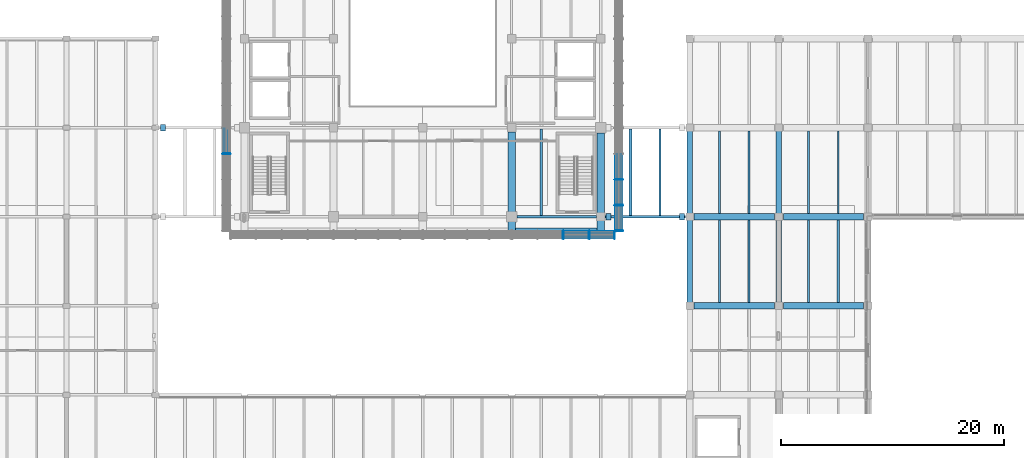
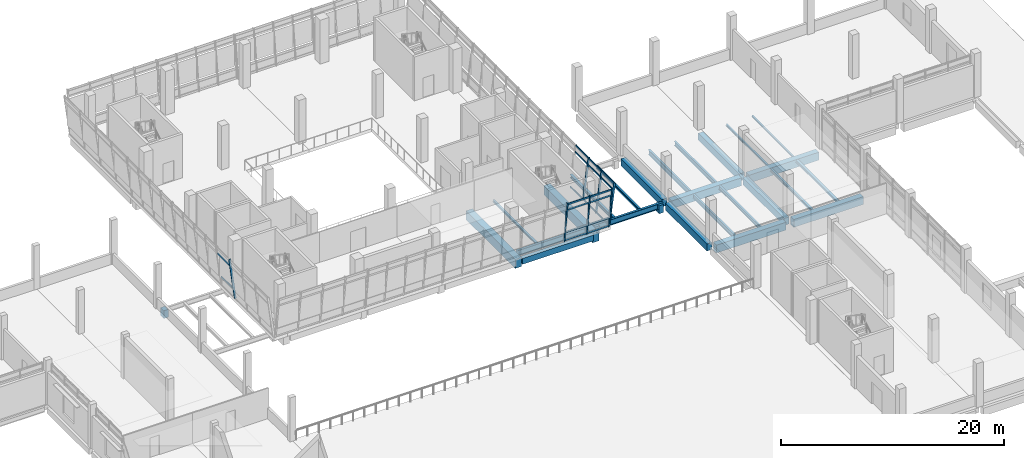
# One storey, part 12 of 52: 29 members, 27 beams, 3 elements without a shape of their own.
"""IFC4 building model written with IfcOpenShell, lengths in metres."""

from ifc_helpers import new_model, si_unit, direction, frame, origin, origin_2d, place, context, subcontext, project, spatial, rectangle, i_section, extrude, material, material_profile, profile_set, type_object, element, aggregate, save


model = new_model("IFC4")

# Units and contexts
model_context = context("Model", 3, precision=1e-05, world=origin(), true_north=direction((0.0, 1.0)))
body_context = subcontext(model_context, "Body", "Model", "MODEL_VIEW")
ifc_project = project(units=[si_unit("LENGTHUNIT", "METRE"), si_unit("AREAUNIT", "SQUARE_METRE"), si_unit("VOLUMEUNIT", "CUBIC_METRE"), si_unit("PLANEANGLEUNIT", "RADIAN"), si_unit("MASSUNIT", "GRAM", prefix="KILO")], contexts=[model_context])

# Site, building, storey
site_placement = place(None, origin())
site = spatial("IfcSite", under=ifc_project, at=site_placement, CompositionType="ELEMENT")
building_placement = place(site_placement, origin())
building = spatial("IfcBuilding", under=site, at=building_placement, Name="Pecanmere Concourse Central Library", CompositionType="ELEMENT")
storey_placement = place(building_placement, frame((0.0, 0.0, 10.5)))
storey = spatial("IfcBuildingStorey", under=building, at=storey_placement, Name="L03", CompositionType="ELEMENT", Elevation=10.5)

# Curtain wall, members
ifc_material_1 = material(Name="Anodized bronze aluminium alloy 6063-T6", Category="aluminium")
curtain_wall_type = type_object("IfcCurtainWallType", Name="CW_LEAN_BANDED", PredefinedType="USERDEFINED", material=ifc_material_1)
curtain_wall_1_placement = place(storey_placement, origin())
curtain_wall_1 = element("IfcCurtainWall", 1, at=curtain_wall_1_placement, inside=storey, type_object=curtain_wall_type, Name="Unitised Curtain Wall CW-01 L03-029", ObjectType="UNITISED CURTAIN WALL", PredefinedType="USERDEFINED")
ifc_material_2 = material(Name="Anodized bronze aluminium alloy 6063-T6", Category="aluminium")
ifc_material_profile_1 = material_profile(ifc_material_2, rectangle(XDim=0.074951171875, YDim=0.199951171875, at=origin_2d()), Name="AL 75x200")
ifc_profile_set_1 = profile_set([ifc_material_profile_1], Name="Anodized bronze aluminium alloy 6063-T6")
member_type_1 = type_object("IfcMemberType", Name="CWM_200x75", PredefinedType="MULLION", material=ifc_profile_set_1)
member_1_placement = place(storey_placement, frame((100.64306640625, 88.678955078125, 0.0), z_axis=(0.0, -0.132234484848, 0.991218462811), x_axis=(1.0, 0.0, 0.0)))
member_1 = element("IfcMember", 2, at=member_1_placement, type_object=member_type_1, Name="CW-01 Mullion 3", PredefinedType="MULLION", context=body_context, shape_type="SweptSolid", body=[
    extrude(rectangle(XDim=0.074951171875, YDim=0.199951171875, at=origin_2d()), origin(), (0.0, 0.0, 1.0), 4.519775390625),
])
member_2_placement = place(storey_placement, frame((102.9619140625, 88.678955078125, 0.0), z_axis=(0.0, -0.132234484848, 0.991218462811), x_axis=(1.0, 0.0, 0.0)))
member_2 = element("IfcMember", 3, at=member_2_placement, type_object=member_type_1, Name="CW-01 Mullion 4", PredefinedType="MULLION", context=body_context, shape_type="SweptSolid", body=[
    extrude(rectangle(XDim=0.074951171875, YDim=0.199951171875, at=origin_2d()), origin(), (0.0, 0.0, 1.0), 4.519775390625),
])
member_3_placement = place(storey_placement, frame((105.243408203125, 88.678955078125, 0.0), z_axis=(0.0, -0.132234484848, 0.991218462811), x_axis=(1.0, 0.0, 0.0)))
member_3 = element("IfcMember", 4, at=member_3_placement, type_object=member_type_1, Name="CW-01 Mullion 5", PredefinedType="MULLION", context=body_context, shape_type="SweptSolid", body=[
    extrude(rectangle(XDim=0.074951171875, YDim=0.199951171875, at=origin_2d()), origin(), (0.0, 0.0, 1.0), 4.519775390625),
])

curtain_wall_2_placement = place(storey_placement, origin())
curtain_wall_2 = element("IfcCurtainWall", 5, at=curtain_wall_2_placement, inside=storey, type_object=curtain_wall_type, Name="Unitised Curtain Wall CW-01 L03-030", ObjectType="UNITISED CURTAIN WALL", PredefinedType="USERDEFINED")
member_4_placement = place(storey_placement, frame((105.321044921875, 88.756591796875, 0.0), z_axis=(0.132234484848, 0.0, 0.991218462811), x_axis=(0.0, 1.0, 0.0)))
member_4 = element("IfcMember", 6, at=member_4_placement, type_object=member_type_1, Name="CW-01 Mullion 1", PredefinedType="MULLION", context=body_context, shape_type="SweptSolid", body=[
    extrude(rectangle(XDim=0.074951171875, YDim=0.199951171875, at=origin_2d()), origin(), (0.0, 0.0, 1.0), 4.519775390625),
])
member_5_placement = place(storey_placement, frame((105.321044921875, 91.0380859375, 0.0), z_axis=(0.132234484848, 0.0, 0.991218462811), x_axis=(0.0, 1.0, 0.0)))
member_5 = element("IfcMember", 7, at=member_5_placement, type_object=member_type_1, Name="CW-01 Mullion 2", PredefinedType="MULLION", context=body_context, shape_type="SweptSolid", body=[
    extrude(rectangle(XDim=0.074951171875, YDim=0.199951171875, at=origin_2d()), origin(), (0.0, 0.0, 1.0), 4.519775390625),
])
member_6_placement = place(storey_placement, frame((105.321044921875, 93.35693359375, 0.0), z_axis=(0.132234484848, 0.0, 0.991218462811), x_axis=(0.0, 1.0, 0.0)))
member_6 = element("IfcMember", 8, at=member_6_placement, type_object=member_type_1, Name="CW-01 Mullion 3", PredefinedType="MULLION", context=body_context, shape_type="SweptSolid", body=[
    extrude(rectangle(XDim=0.074951171875, YDim=0.199951171875, at=origin_2d()), origin(), (0.0, 0.0, 1.0), 4.519775390625),
])

# Curtain wall, member
curtain_wall_3_placement = place(storey_placement, origin())
curtain_wall_3 = element("IfcCurtainWall", 9, at=curtain_wall_3_placement, inside=storey, type_object=curtain_wall_type, Name="Unitised Curtain Wall CW-01 L03-037", ObjectType="UNITISED CURTAIN WALL", PredefinedType="USERDEFINED")
member_7_placement = place(storey_placement, frame((70.678955078125, 95.676025390625, 0.0), z_axis=(-0.132234484848, 0.0, 0.991218462811), x_axis=(0.0, -1.0, 0.0)))
member_7 = element("IfcMember", 10, at=member_7_placement, type_object=member_type_1, Name="CW-01 Mullion 2", PredefinedType="MULLION", context=body_context, shape_type="SweptSolid", body=[
    extrude(rectangle(XDim=0.074951171875, YDim=0.199951171875, at=origin_2d()), origin(), (0.0, 0.0, 1.0), 4.519775390625),
])

# Member
ifc_material_3 = material(Name="Anodized bronze aluminium alloy 6063-T6", Category="aluminium")
ifc_material_profile_2 = material_profile(ifc_material_3, rectangle(XDim=0.06494140625, YDim=0.179931640625, at=origin_2d()), Name="AL 65x180")
ifc_profile_set_2 = profile_set([ifc_material_profile_2], Name="Anodized bronze aluminium alloy 6063-T6")
member_type_2 = type_object("IfcMemberType", Name="CWT_180x65", PredefinedType="USERDEFINED", material=ifc_profile_set_2)
member_8_placement = place(storey_placement, frame((100.680419921875, 88.6669921875, 0.090087890625), z_axis=(1.0, 0.0, 0.0), x_axis=(0.0, 1.0, 0.0)))
member_8 = element("IfcMember", 11, at=member_8_placement, type_object=member_type_2, Name="CW-01 Transom 3.1", ObjectType="TRANSOM", PredefinedType="USERDEFINED", context=body_context, shape_type="SweptSolid", body=[
    extrude(rectangle(XDim=0.06494140625, YDim=0.179931640625, at=origin_2d()), origin(), (0.0, 0.0, 1.0), 2.244140625),
])

member_9_placement = place(storey_placement, frame((100.680419921875, 88.538818359375, 1.050048828125), z_axis=(1.0, 0.0, 0.0), x_axis=(0.0, 1.0, 0.0)))
member_9 = element("IfcMember", 12, at=member_9_placement, type_object=member_type_2, Name="CW-01 Transom 3.2", ObjectType="TRANSOM", PredefinedType="USERDEFINED", context=body_context, shape_type="SweptSolid", body=[
    extrude(rectangle(XDim=0.06494140625, YDim=0.179931640625, at=origin_2d()), origin(), (0.0, 0.0, 1.0), 2.244140625),
])

member_10_placement = place(storey_placement, frame((100.680419921875, 88.181396484375, 3.72998046875), z_axis=(1.0, 0.0, 0.0), x_axis=(0.0, 1.0, 0.0)))
member_10 = element("IfcMember", 13, at=member_10_placement, type_object=member_type_2, Name="CW-01 Transom 3.3", ObjectType="TRANSOM", PredefinedType="USERDEFINED", context=body_context, shape_type="SweptSolid", body=[
    extrude(rectangle(XDim=0.06494140625, YDim=0.179931640625, at=origin_2d()), origin(), (0.0, 0.0, 1.0), 2.244140625),
])

member_11_placement = place(storey_placement, frame((100.680419921875, 88.09326171875, 4.389892578125), z_axis=(1.0, 0.0, 0.0), x_axis=(0.0, 1.0, 0.0)))
member_11 = element("IfcMember", 14, at=member_11_placement, type_object=member_type_2, Name="CW-01 Transom 3.4", ObjectType="TRANSOM", PredefinedType="USERDEFINED", context=body_context, shape_type="SweptSolid", body=[
    extrude(rectangle(XDim=0.06494140625, YDim=0.179931640625, at=origin_2d()), origin(), (0.0, 0.0, 1.0), 2.244140625),
])

member_12_placement = place(storey_placement, frame((102.99951171875, 88.6669921875, 0.090087890625), z_axis=(1.0, 0.0, 0.0), x_axis=(0.0, 1.0, 0.0)))
member_12 = element("IfcMember", 15, at=member_12_placement, type_object=member_type_2, Name="CW-01 Transom 4.1", ObjectType="TRANSOM", PredefinedType="USERDEFINED", context=body_context, shape_type="SweptSolid", body=[
    extrude(rectangle(XDim=0.06494140625, YDim=0.179931640625, at=origin_2d()), origin(), (0.0, 0.0, 1.0), 2.20654296875),
])

member_13_placement = place(storey_placement, frame((102.99951171875, 88.538818359375, 1.050048828125), z_axis=(1.0, 0.0, 0.0), x_axis=(0.0, 1.0, 0.0)))
member_13 = element("IfcMember", 16, at=member_13_placement, type_object=member_type_2, Name="CW-01 Transom 4.2", ObjectType="TRANSOM", PredefinedType="USERDEFINED", context=body_context, shape_type="SweptSolid", body=[
    extrude(rectangle(XDim=0.06494140625, YDim=0.179931640625, at=origin_2d()), origin(), (0.0, 0.0, 1.0), 2.20654296875),
])

member_14_placement = place(storey_placement, frame((102.99951171875, 88.181396484375, 3.72998046875), z_axis=(1.0, 0.0, 0.0), x_axis=(0.0, 1.0, 0.0)))
member_14 = element("IfcMember", 17, at=member_14_placement, type_object=member_type_2, Name="CW-01 Transom 4.3", ObjectType="TRANSOM", PredefinedType="USERDEFINED", context=body_context, shape_type="SweptSolid", body=[
    extrude(rectangle(XDim=0.06494140625, YDim=0.179931640625, at=origin_2d()), origin(), (0.0, 0.0, 1.0), 2.20654296875),
])

member_15_placement = place(storey_placement, frame((102.99951171875, 88.09326171875, 4.389892578125), z_axis=(1.0, 0.0, 0.0), x_axis=(0.0, 1.0, 0.0)))
member_15 = element("IfcMember", 18, at=member_15_placement, type_object=member_type_2, Name="CW-01 Transom 4.4", ObjectType="TRANSOM", PredefinedType="USERDEFINED", context=body_context, shape_type="SweptSolid", body=[
    extrude(rectangle(XDim=0.06494140625, YDim=0.179931640625, at=origin_2d()), origin(), (0.0, 0.0, 1.0), 2.20654296875),
])

aggregate(curtain_wall_1, [member_1, member_2, member_3, member_8, member_9, member_10, member_11, member_12, member_13, member_14, member_15])

member_16_placement = place(storey_placement, frame((105.3330078125, 88.7939453125, 0.090087890625), z_axis=(0.0, 1.0, 0.0), x_axis=(-1.0, 0.0, 0.0)))
member_16 = element("IfcMember", 19, at=member_16_placement, type_object=member_type_2, Name="CW-01 Transom 1.1", ObjectType="TRANSOM", PredefinedType="USERDEFINED", context=body_context, shape_type="SweptSolid", body=[
    extrude(rectangle(XDim=0.06494140625, YDim=0.179931640625, at=origin_2d()), origin(), (0.0, 0.0, 1.0), 2.20654296875),
])

member_17_placement = place(storey_placement, frame((105.461181640625, 88.7939453125, 1.050048828125), z_axis=(0.0, 1.0, 0.0), x_axis=(-1.0, 0.0, 0.0)))
member_17 = element("IfcMember", 20, at=member_17_placement, type_object=member_type_2, Name="CW-01 Transom 1.2", ObjectType="TRANSOM", PredefinedType="USERDEFINED", context=body_context, shape_type="SweptSolid", body=[
    extrude(rectangle(XDim=0.06494140625, YDim=0.179931640625, at=origin_2d()), origin(), (0.0, 0.0, 1.0), 2.20654296875),
])

member_18_placement = place(storey_placement, frame((105.818603515625, 88.7939453125, 3.72998046875), z_axis=(0.0, 1.0, 0.0), x_axis=(-1.0, 0.0, 0.0)))
member_18 = element("IfcMember", 21, at=member_18_placement, type_object=member_type_2, Name="CW-01 Transom 1.3", ObjectType="TRANSOM", PredefinedType="USERDEFINED", context=body_context, shape_type="SweptSolid", body=[
    extrude(rectangle(XDim=0.06494140625, YDim=0.179931640625, at=origin_2d()), origin(), (0.0, 0.0, 1.0), 2.20654296875),
])

member_19_placement = place(storey_placement, frame((105.90673828125, 88.7939453125, 4.389892578125), z_axis=(0.0, 1.0, 0.0), x_axis=(-1.0, 0.0, 0.0)))
member_19 = element("IfcMember", 22, at=member_19_placement, type_object=member_type_2, Name="CW-01 Transom 1.4", ObjectType="TRANSOM", PredefinedType="USERDEFINED", context=body_context, shape_type="SweptSolid", body=[
    extrude(rectangle(XDim=0.06494140625, YDim=0.179931640625, at=origin_2d()), origin(), (0.0, 0.0, 1.0), 2.20654296875),
])

member_20_placement = place(storey_placement, frame((105.3330078125, 91.075439453125, 0.090087890625), z_axis=(0.0, 1.0, 0.0), x_axis=(-1.0, 0.0, 0.0)))
member_20 = element("IfcMember", 23, at=member_20_placement, type_object=member_type_2, Name="CW-01 Transom 2.1", ObjectType="TRANSOM", PredefinedType="USERDEFINED", context=body_context, shape_type="SweptSolid", body=[
    extrude(rectangle(XDim=0.06494140625, YDim=0.179931640625, at=origin_2d()), origin(), (0.0, 0.0, 1.0), 2.244140625),
])

member_21_placement = place(storey_placement, frame((105.461181640625, 91.075439453125, 1.050048828125), z_axis=(0.0, 1.0, 0.0), x_axis=(-1.0, 0.0, 0.0)))
member_21 = element("IfcMember", 24, at=member_21_placement, type_object=member_type_2, Name="CW-01 Transom 2.2", ObjectType="TRANSOM", PredefinedType="USERDEFINED", context=body_context, shape_type="SweptSolid", body=[
    extrude(rectangle(XDim=0.06494140625, YDim=0.179931640625, at=origin_2d()), origin(), (0.0, 0.0, 1.0), 2.244140625),
])

member_22_placement = place(storey_placement, frame((105.818603515625, 91.075439453125, 3.72998046875), z_axis=(0.0, 1.0, 0.0), x_axis=(-1.0, 0.0, 0.0)))
member_22 = element("IfcMember", 25, at=member_22_placement, type_object=member_type_2, Name="CW-01 Transom 2.3", ObjectType="TRANSOM", PredefinedType="USERDEFINED", context=body_context, shape_type="SweptSolid", body=[
    extrude(rectangle(XDim=0.06494140625, YDim=0.179931640625, at=origin_2d()), origin(), (0.0, 0.0, 1.0), 2.244140625),
])

member_23_placement = place(storey_placement, frame((105.90673828125, 91.075439453125, 4.389892578125), z_axis=(0.0, 1.0, 0.0), x_axis=(-1.0, 0.0, 0.0)))
member_23 = element("IfcMember", 26, at=member_23_placement, type_object=member_type_2, Name="CW-01 Transom 2.4", ObjectType="TRANSOM", PredefinedType="USERDEFINED", context=body_context, shape_type="SweptSolid", body=[
    extrude(rectangle(XDim=0.06494140625, YDim=0.179931640625, at=origin_2d()), origin(), (0.0, 0.0, 1.0), 2.244140625),
])

member_24_placement = place(storey_placement, frame((105.3330078125, 93.39453125, 0.090087890625), z_axis=(0.0, 1.0, 0.0), x_axis=(-1.0, 0.0, 0.0)))
member_24 = element("IfcMember", 27, at=member_24_placement, type_object=member_type_2, Name="CW-01 Transom 3.1", ObjectType="TRANSOM", PredefinedType="USERDEFINED", context=body_context, shape_type="SweptSolid", body=[
    extrude(rectangle(XDim=0.06494140625, YDim=0.179931640625, at=origin_2d()), origin(), (0.0, 0.0, 1.0), 2.243896484375),
])

member_25_placement = place(storey_placement, frame((105.461181640625, 93.39453125, 1.050048828125), z_axis=(0.0, 1.0, 0.0), x_axis=(-1.0, 0.0, 0.0)))
member_25 = element("IfcMember", 28, at=member_25_placement, type_object=member_type_2, Name="CW-01 Transom 3.2", ObjectType="TRANSOM", PredefinedType="USERDEFINED", context=body_context, shape_type="SweptSolid", body=[
    extrude(rectangle(XDim=0.06494140625, YDim=0.179931640625, at=origin_2d()), origin(), (0.0, 0.0, 1.0), 2.243896484375),
])

member_26_placement = place(storey_placement, frame((105.818603515625, 93.39453125, 3.72998046875), z_axis=(0.0, 1.0, 0.0), x_axis=(-1.0, 0.0, 0.0)))
member_26 = element("IfcMember", 29, at=member_26_placement, type_object=member_type_2, Name="CW-01 Transom 3.3", ObjectType="TRANSOM", PredefinedType="USERDEFINED", context=body_context, shape_type="SweptSolid", body=[
    extrude(rectangle(XDim=0.06494140625, YDim=0.179931640625, at=origin_2d()), origin(), (0.0, 0.0, 1.0), 2.243896484375),
])

member_27_placement = place(storey_placement, frame((105.90673828125, 93.39453125, 4.389892578125), z_axis=(0.0, 1.0, 0.0), x_axis=(-1.0, 0.0, 0.0)))
member_27 = element("IfcMember", 30, at=member_27_placement, type_object=member_type_2, Name="CW-01 Transom 3.4", ObjectType="TRANSOM", PredefinedType="USERDEFINED", context=body_context, shape_type="SweptSolid", body=[
    extrude(rectangle(XDim=0.06494140625, YDim=0.179931640625, at=origin_2d()), origin(), (0.0, 0.0, 1.0), 2.243896484375),
])

aggregate(curtain_wall_2, [member_4, member_5, member_6, member_16, member_17, member_18, member_19, member_20, member_21, member_22, member_23, member_24, member_25, member_26, member_27])

member_28_placement = place(storey_placement, frame((70.538818359375, 97.919921875, 1.050048828125), z_axis=(0.0, -1.0, 0.0), x_axis=(1.0, 0.0, 0.0)))
member_28 = element("IfcMember", 31, at=member_28_placement, type_object=member_type_2, Name="CW-01 Transom 1.2", ObjectType="TRANSOM", PredefinedType="USERDEFINED", context=body_context, shape_type="SweptSolid", body=[
    extrude(rectangle(XDim=0.06494140625, YDim=0.179931640625, at=origin_2d()), origin(), (0.0, 0.0, 1.0), 2.20654296875),
])

member_29_placement = place(storey_placement, frame((70.181396484375, 97.919921875, 3.72998046875), z_axis=(0.0, -1.0, 0.0), x_axis=(1.0, 0.0, 0.0)))
member_29 = element("IfcMember", 32, at=member_29_placement, type_object=member_type_2, Name="CW-01 Transom 1.3", ObjectType="TRANSOM", PredefinedType="USERDEFINED", context=body_context, shape_type="SweptSolid", body=[
    extrude(rectangle(XDim=0.06494140625, YDim=0.179931640625, at=origin_2d()), origin(), (0.0, 0.0, 1.0), 2.20654296875),
])

aggregate(curtain_wall_3, [member_7, member_28, member_29])

# Beams
ifc_material_4 = material(Name="Concrete C40/50", Category="concrete")
ifc_material_profile_3 = material_profile(ifc_material_4, rectangle(XDim=0.52001953125, YDim=0.77001953125, at=origin_2d()), Name="RC 520x770")
ifc_profile_set_3 = profile_set([ifc_material_profile_3], Name="Concrete C40/50")
beam_type_1 = type_object("IfcBeamType", Name="GRD_520x770", PredefinedType="USERDEFINED", material=ifc_profile_set_3)
for number, where, z_axis, x_axis, name in (
    (33, (112.0, 82.300048828125, -0.72509765625), (0.0, 1.0, 0.0), (-1.0, 0.0, 0.0), "Primary Girder Y L03-1772"),
    (34, (112.0, 90.300048828125, -0.72509765625), (0.0, 1.0, 0.0), (-1.0, 0.0, 0.0), "Primary Girder Y L03-1773"),
    (35, (120.0, 82.300048828125, -0.72509765625), (0.0, 1.0, 0.0), (-1.0, 0.0, 0.0), "Primary Girder Y L03-1779"),
    (36, (120.0, 90.300048828125, -0.72509765625), (0.0, 1.0, 0.0), (-1.0, 0.0, 0.0), "Primary Girder Y L03-1780"),
):
    element("IfcBeam", number, at=place(storey_placement, frame(where, z_axis=z_axis, x_axis=x_axis)), inside=storey, type_object=beam_type_1, Name=name, ObjectType="GIRDER", PredefinedType="USERDEFINED", context=body_context, shape_type="SweptSolid", body=[
        extrude(rectangle(XDim=0.52001953125, YDim=0.77001953125, at=origin_2d()), origin(), (0.0, 0.0, 1.0), 7.39990234375),
    ])
ifc_material_5 = material(Name="Concrete C40/50", Category="concrete")
ifc_material_profile_4 = material_profile(ifc_material_5, rectangle(XDim=0.580078125, YDim=0.860107421875, at=origin_2d()), Name="RC 580x860")
ifc_profile_set_4 = profile_set([ifc_material_profile_4], Name="Concrete C40/50")
beam_type_2 = type_object("IfcBeamType", Name="GRD_580x860", PredefinedType="USERDEFINED", material=ifc_profile_set_4)
for number, where, z_axis, x_axis, name in (
    (37, (112.39990234375, 82.0, -0.77001953125), (1.0, 0.0, 0.0), (0.0, 1.0, 0.0), "Primary Girder X L03-1603"),
    (38, (120.39990234375, 82.0, -0.77001953125), (1.0, 0.0, 0.0), (0.0, 1.0, 0.0), "Primary Girder X L03-1604"),
    (39, (112.39990234375, 90.0, -0.77001953125), (1.0, 0.0, 0.0), (0.0, 1.0, 0.0), "Primary Girder X L03-1617"),
    (40, (120.39990234375, 90.0, -0.77001953125), (1.0, 0.0, 0.0), (0.0, 1.0, 0.0), "Primary Girder X L03-1618"),
):
    element("IfcBeam", number, at=place(storey_placement, frame(where, z_axis=z_axis, x_axis=x_axis)), inside=storey, type_object=beam_type_2, Name=name, ObjectType="GIRDER", PredefinedType="USERDEFINED", context=body_context, shape_type="SweptSolid", body=[
        extrude(rectangle(XDim=0.580078125, YDim=0.860107421875, at=origin_2d()), origin(), (0.0, 0.0, 1.0), 7.2001953125),
    ])
for number, where, z_axis, x_axis, name in (
    (41, (64.4599609375, 98.0, -0.860107421875), (1.0, 0.0, 0.0), (0.0, 1.0, 0.0), "Bridge Bearing Corbel Seat 02"),
    (42, (104.4599609375, 90.0, -0.860107421875), (1.0, 0.0, 0.0), (0.0, 1.0, 0.0), "Bridge Bearing Corbel Seat 05"),
    (43, (111.5400390625, 90.0, -0.860107421875), (-1.0, 0.0, 0.0), (0.0, -1.0, 0.0), "Bridge Bearing Corbel Seat 07"),
):
    element("IfcBeam", number, at=place(storey_placement, frame(where, z_axis=z_axis, x_axis=x_axis)), inside=storey, type_object=beam_type_2, Name=name, ObjectType="GIRDER", PredefinedType="USERDEFINED", context=body_context, shape_type="SweptSolid", body=[
        extrude(rectangle(XDim=0.580078125, YDim=0.860107421875, at=origin_2d()), origin(), (0.0, 0.0, 1.0), 0.4599609375),
    ])
ifc_material_6 = material(Name="Concrete C40/50", Category="concrete")
ifc_material_profile_5 = material_profile(ifc_material_6, rectangle(XDim=0.659912109375, YDim=0.97998046875, at=origin_2d()), Name="RC 660x980")
ifc_profile_set_5 = profile_set([ifc_material_profile_5], Name="Concrete C40/50")
beam_type_3 = type_object("IfcBeamType", Name="GRD_660x980", PredefinedType="USERDEFINED", material=ifc_profile_set_5)
beam_1_placement = place(storey_placement, frame((96.0, 88.7890625, -0.830078125), z_axis=(0.0, 1.0, 0.0), x_axis=(-1.0, 0.0, 0.0)))
element("IfcBeam", 44, at=beam_1_placement, inside=storey, type_object=beam_type_3, Name="Primary Girder Y L03-1753", ObjectType="GIRDER", PredefinedType="USERDEFINED", context=body_context, shape_type="SweptSolid", body=[
    extrude(rectangle(XDim=0.659912109375, YDim=0.97998046875, at=origin_2d()), origin(), (0.0, 0.0, 1.0), 8.81103515625),
])
beam_2_placement = place(storey_placement, frame((104.0, 88.7890625, -0.830078125), z_axis=(0.0, 1.0, 0.0), x_axis=(-1.0, 0.0, 0.0)))
element("IfcBeam", 45, at=beam_2_placement, inside=storey, type_object=beam_type_3, Name="Primary Girder Y L03-1762", ObjectType="GIRDER", PredefinedType="USERDEFINED", context=body_context, shape_type="SweptSolid", body=[
    extrude(rectangle(XDim=0.659912109375, YDim=0.97998046875, at=origin_2d()), origin(), (0.0, 0.0, 1.0), 8.7509765625),
])
ifc_material_7 = material(Name="Structural steel ASTM A992 Grade 50", Category="steel")
ifc_material_profile_6 = material_profile(ifc_material_7, i_section(OverallWidth=0.152099609375, OverallDepth=0.152099609375, WebThickness=0.005859375, FlangeThickness=0.006591796875, at=origin_2d()), Name="W150x22.5")
ifc_profile_set_6 = profile_set([ifc_material_profile_6], Name="Structural steel ASTM A992 Grade 50")
beam_type_4 = type_object("IfcBeamType", Name="SBM_W150x22", PredefinedType="LINTEL", material=ifc_profile_set_6)
beam_3_placement = place(storey_placement, frame((125.333251953125, 90.2900390625, -0.416015625), z_axis=(0.0, 1.0, 0.0), x_axis=(-1.0, 0.0, 0.0)))
element("IfcBeam", 46, at=beam_3_placement, inside=storey, type_object=beam_type_4, Name="Secondary Floor Joist L03-2027", PredefinedType="LINTEL", context=body_context, shape_type="SweptSolid", body=[
    extrude(i_section(OverallWidth=0.152099609375, OverallDepth=0.152099609375, WebThickness=0.005859375, FlangeThickness=0.006591796875, at=origin_2d()), origin(), (0.0, 0.0, 1.0), 7.419921875),
])
ifc_material_8 = material(Name="Structural steel ASTM A992 Grade 50", Category="steel")
ifc_material_profile_7 = material_profile(ifc_material_8, i_section(OverallWidth=0.1650390625, OverallDepth=0.200927734375, WebThickness=0.006103515625, FlangeThickness=0.01025390625, at=origin_2d()), Name="W200x35.9")
ifc_profile_set_7 = profile_set([ifc_material_profile_7], Name="Structural steel ASTM A992 Grade 50")
beam_type_5 = type_object("IfcBeamType", Name="SBM_W200x36", PredefinedType="LINTEL", material=ifc_profile_set_7)
beam_4_placement = place(storey_placement, frame((122.666748046875, 90.2900390625, -0.4404296875), z_axis=(0.0, 1.0, 0.0), x_axis=(-1.0, 0.0, 0.0)))
element("IfcBeam", 47, at=beam_4_placement, inside=storey, type_object=beam_type_5, Name="Secondary Floor Joist L03-2026", PredefinedType="LINTEL", context=body_context, shape_type="SweptSolid", body=[
    extrude(i_section(OverallWidth=0.1650390625, OverallDepth=0.200927734375, WebThickness=0.006103515625, FlangeThickness=0.01025390625, at=origin_2d()), origin(), (0.0, 0.0, 1.0), 7.419921875),
])
ifc_material_9 = material(Name="Structural steel ASTM A992 Grade 50", Category="steel")
ifc_material_profile_8 = material_profile(ifc_material_9, i_section(OverallWidth=0.2041015625, OverallDepth=0.2060546875, WebThickness=0.0078125, FlangeThickness=0.0126953125, at=origin_2d()), Name="W200x52")
ifc_profile_set_8 = profile_set([ifc_material_profile_8], Name="Structural steel ASTM A992 Grade 50")
beam_type_6 = type_object("IfcBeamType", Name="SBM_W200x52", PredefinedType="JOIST", material=ifc_profile_set_8)
beam_5_placement = place(storey_placement, frame((98.666748046875, 90.114990234375, -0.443115234375), z_axis=(0.0, 1.0, 0.0), x_axis=(-1.0, 0.0, 0.0)))
element("IfcBeam", 48, at=beam_5_placement, inside=storey, type_object=beam_type_6, Name="Secondary Floor Joist L03-1988", PredefinedType="JOIST", context=body_context, shape_type="SweptSolid", body=[
    extrude(i_section(OverallWidth=0.2041015625, OverallDepth=0.2060546875, WebThickness=0.0078125, FlangeThickness=0.0126953125, at=origin_2d()), origin(), (0.0, 0.0, 1.0), 7.77001953125),
])
ifc_material_10 = material(Name="Structural steel ASTM A992 Grade 50", Category="steel")
ifc_material_profile_9 = material_profile(ifc_material_10, i_section(OverallWidth=0.25390625, OverallDepth=0.2529296875, WebThickness=0.008544921875, FlangeThickness=0.01416015625, at=origin_2d()), Name="W250x73")
ifc_profile_set_9 = profile_set([ifc_material_profile_9], Name="Structural steel ASTM A992 Grade 50")
beam_type_7 = type_object("IfcBeamType", Name="SBM_W250x73", PredefinedType="BEAM", material=ifc_profile_set_9)
beam_6_placement = place(storey_placement, frame((125.333251953125, 82.2900390625, -0.466552734375), z_axis=(0.0, 1.0, 0.0), x_axis=(-1.0, 0.0, 0.0)))
element("IfcBeam", 49, at=beam_6_placement, inside=storey, type_object=beam_type_7, Name="Secondary Floor Joist L03-2025", PredefinedType="BEAM", context=body_context, shape_type="SweptSolid", body=[
    extrude(i_section(OverallWidth=0.25390625, OverallDepth=0.2529296875, WebThickness=0.008544921875, FlangeThickness=0.01416015625, at=origin_2d()), origin(), (0.0, 0.0, 1.0), 7.419921875),
])
ifc_material_11 = material(Name="Structural steel ASTM A992 Grade 50", Category="steel")
ifc_material_profile_10 = material_profile(ifc_material_11, i_section(OverallWidth=0.205078125, OverallDepth=0.31005859375, WebThickness=0.009521484375, FlangeThickness=0.016357421875, at=origin_2d()), Name="W310x74")
ifc_profile_set_10 = profile_set([ifc_material_profile_10], Name="Structural steel ASTM A992 Grade 50")
beam_type_8 = type_object("IfcBeamType", Name="SBM_W310x74", PredefinedType="BEAM", material=ifc_profile_set_10)
beam_7_placement = place(storey_placement, frame((109.333251953125, 90.114990234375, -0.4951171875), z_axis=(0.0, 1.0, 0.0), x_axis=(-1.0, 0.0, 0.0)))
element("IfcBeam", 50, at=beam_7_placement, inside=storey, type_object=beam_type_8, Name="Secondary Floor Joist L03-2003", PredefinedType="BEAM", context=body_context, shape_type="SweptSolid", body=[
    extrude(i_section(OverallWidth=0.205078125, OverallDepth=0.31005859375, WebThickness=0.009521484375, FlangeThickness=0.016357421875, at=origin_2d()), origin(), (0.0, 0.0, 1.0), 7.77001953125),
])
beam_8_placement = place(storey_placement, frame((122.666748046875, 82.2900390625, -0.4951171875), z_axis=(0.0, 1.0, 0.0), x_axis=(-1.0, 0.0, 0.0)))
element("IfcBeam", 51, at=beam_8_placement, inside=storey, type_object=beam_type_8, Name="Secondary Floor Joist L03-2024", PredefinedType="BEAM", context=body_context, shape_type="SweptSolid", body=[
    extrude(i_section(OverallWidth=0.205078125, OverallDepth=0.31005859375, WebThickness=0.009521484375, FlangeThickness=0.016357421875, at=origin_2d()), origin(), (0.0, 0.0, 1.0), 7.419921875),
])
ifc_material_12 = material(Name="Structural steel ASTM A992 Grade 50", Category="steel")
ifc_material_profile_11 = material_profile(ifc_material_12, i_section(OverallWidth=0.25390625, OverallDepth=0.35302734375, WebThickness=0.009521484375, FlangeThickness=0.016357421875, at=origin_2d()), Name="W360x91")
ifc_profile_set_11 = profile_set([ifc_material_profile_11], Name="Structural steel ASTM A992 Grade 50")
beam_type_9 = type_object("IfcBeamType", Name="SBM_W360x91", PredefinedType="BEAM", material=ifc_profile_set_11)
beam_9_placement = place(storey_placement, frame((106.666748046875, 90.114990234375, -0.5166015625), z_axis=(0.0, 1.0, 0.0), x_axis=(-1.0, 0.0, 0.0)))
element("IfcBeam", 52, at=beam_9_placement, inside=storey, type_object=beam_type_9, Name="Secondary Floor Joist L03-2002", PredefinedType="BEAM", context=body_context, shape_type="SweptSolid", body=[
    extrude(i_section(OverallWidth=0.25390625, OverallDepth=0.35302734375, WebThickness=0.009521484375, FlangeThickness=0.016357421875, at=origin_2d()), origin(), (0.0, 0.0, 1.0), 7.77001953125),
])
ifc_material_13 = material(Name="Structural steel ASTM A992 Grade 50", Category="steel")
ifc_material_profile_12 = material_profile(ifc_material_13, i_section(OverallWidth=0.180908203125, OverallDepth=0.4169921875, WebThickness=0.010986328125, FlangeThickness=0.018310546875, at=origin_2d()), Name="W410x85")
ifc_profile_set_12 = profile_set([ifc_material_profile_12], Name="Structural steel ASTM A992 Grade 50")
beam_type_10 = type_object("IfcBeamType", Name="SBM_W410x85", PredefinedType="BEAM", material=ifc_profile_set_12)
beam_10_placement = place(storey_placement, frame((117.333251953125, 82.2900390625, -0.548583984375), z_axis=(0.0, 1.0, 0.0), x_axis=(-1.0, 0.0, 0.0)))
element("IfcBeam", 53, at=beam_10_placement, inside=storey, type_object=beam_type_10, Name="Secondary Floor Joist L03-2011", PredefinedType="BEAM", context=body_context, shape_type="SweptSolid", body=[
    extrude(i_section(OverallWidth=0.180908203125, OverallDepth=0.4169921875, WebThickness=0.010986328125, FlangeThickness=0.018310546875, at=origin_2d()), origin(), (0.0, 0.0, 1.0), 7.419921875),
])
ifc_material_14 = material(Name="Structural steel ASTM A992 Grade 50", Category="steel")
ifc_material_profile_13 = material_profile(ifc_material_14, i_section(OverallWidth=0.194091796875, OverallDepth=0.468994140625, WebThickness=0.0126953125, FlangeThickness=0.0205078125, at=origin_2d()), Name="W460x106")
ifc_profile_set_13 = profile_set([ifc_material_profile_13], Name="Structural steel ASTM A992 Grade 50")
beam_type_11 = type_object("IfcBeamType", Name="SBM_W460x106", PredefinedType="USERDEFINED", material=ifc_profile_set_13)
beam_11_placement = place(storey_placement, frame((117.333251953125, 90.2900390625, -0.574462890625), z_axis=(0.0, 1.0, 0.0), x_axis=(-1.0, 0.0, 0.0)))
element("IfcBeam", 54, at=beam_11_placement, inside=storey, type_object=beam_type_11, Name="Secondary Floor Joist L03-2013", ObjectType="GIRDER", PredefinedType="USERDEFINED", context=body_context, shape_type="SweptSolid", body=[
    extrude(i_section(OverallWidth=0.194091796875, OverallDepth=0.468994140625, WebThickness=0.0126953125, FlangeThickness=0.0205078125, at=origin_2d()), origin(), (0.0, 0.0, 1.0), 7.419921875),
])
ifc_material_15 = material(Name="Structural steel ASTM A992 Grade 50", Category="steel")
ifc_material_profile_14 = material_profile(ifc_material_15, i_section(OverallWidth=0.18994140625, OverallDepth=0.45703125, WebThickness=0.009033203125, FlangeThickness=0.014404296875, at=origin_2d()), Name="W460x74")
ifc_profile_set_14 = profile_set([ifc_material_profile_14], Name="Structural steel ASTM A992 Grade 50")
beam_type_12 = type_object("IfcBeamType", Name="SBM_W460x74", PredefinedType="BEAM", material=ifc_profile_set_14)
beam_12_placement = place(storey_placement, frame((114.666748046875, 82.2900390625, -0.568603515625), z_axis=(0.0, 1.0, 0.0), x_axis=(-1.0, 0.0, 0.0)))
element("IfcBeam", 55, at=beam_12_placement, inside=storey, type_object=beam_type_12, Name="Secondary Floor Joist L03-2010", PredefinedType="BEAM", context=body_context, shape_type="SweptSolid", body=[
    extrude(i_section(OverallWidth=0.18994140625, OverallDepth=0.45703125, WebThickness=0.009033203125, FlangeThickness=0.014404296875, at=origin_2d()), origin(), (0.0, 0.0, 1.0), 7.419921875),
])
ifc_material_16 = material(Name="Structural steel ASTM A992 Grade 50", Category="steel")
ifc_material_profile_15 = material_profile(ifc_material_16, i_section(OverallWidth=0.208984375, OverallDepth=0.532958984375, WebThickness=0.01025390625, FlangeThickness=0.015625, at=origin_2d()), Name="W530x92")
ifc_profile_set_15 = profile_set([ifc_material_profile_15], Name="Structural steel ASTM A992 Grade 50")
beam_type_13 = type_object("IfcBeamType", Name="SBM_W530x92", PredefinedType="BEAM", material=ifc_profile_set_15)
beam_13_placement = place(storey_placement, frame((114.666748046875, 90.2900390625, -0.6064453125), z_axis=(0.0, 1.0, 0.0), x_axis=(-1.0, 0.0, 0.0)))
element("IfcBeam", 56, at=beam_13_placement, inside=storey, type_object=beam_type_13, Name="Secondary Floor Joist L03-2012", PredefinedType="BEAM", context=body_context, shape_type="SweptSolid", body=[
    extrude(i_section(OverallWidth=0.208984375, OverallDepth=0.532958984375, WebThickness=0.01025390625, FlangeThickness=0.015625, at=origin_2d()), origin(), (0.0, 0.0, 1.0), 7.419921875),
])
ifc_material_17 = material(Name="Structural steel ASTM A992 Grade 50", Category="steel")
ifc_material_profile_16 = material_profile(ifc_material_17, i_section(OverallWidth=0.22998046875, OverallDepth=0.616943359375, WebThickness=0.01318359375, FlangeThickness=0.022216796875, at=origin_2d()), Name="W610x140")
ifc_profile_set_16 = profile_set([ifc_material_profile_16], Name="Structural steel ASTM A992 Grade 50")
beam_type_14 = type_object("IfcBeamType", Name="SBM_W610x140", PredefinedType="USERDEFINED", material=ifc_profile_set_16)
beam_14_placement = place(storey_placement, frame((96.4599609375, 90.0, -0.6484375), z_axis=(1.0, 0.0, 0.0), x_axis=(0.0, 1.0, 0.0)))
element("IfcBeam", 57, at=beam_14_placement, inside=storey, type_object=beam_type_14, Name="Primary Girder X L03-1615", ObjectType="GIRDER", PredefinedType="USERDEFINED", context=body_context, shape_type="SweptSolid", body=[
    extrude(i_section(OverallWidth=0.22998046875, OverallDepth=0.616943359375, WebThickness=0.01318359375, FlangeThickness=0.022216796875, at=origin_2d()), origin(), (0.0, 0.0, 1.0), 7.14013671875),
])
beam_15_placement = place(storey_placement, frame((104.39990234375, 90.0, -0.6484375), z_axis=(1.0, 0.0, 0.0), x_axis=(0.0, 1.0, 0.0)))
element("IfcBeam", 58, at=beam_15_placement, inside=storey, type_object=beam_type_14, Name="Primary Girder X L03-1616", ObjectType="GIRDER", PredefinedType="USERDEFINED", context=body_context, shape_type="SweptSolid", body=[
    extrude(i_section(OverallWidth=0.22998046875, OverallDepth=0.616943359375, WebThickness=0.01318359375, FlangeThickness=0.022216796875, at=origin_2d()), origin(), (0.0, 0.0, 1.0), 7.2001953125),
])
ifc_material_18 = material(Name="Concrete C40/50", Category="concrete")
ifc_material_profile_17 = material_profile(ifc_material_18, rectangle(XDim=0.3798828125, YDim=0.639892578125, at=origin_2d()), Name="RC 380x640")
ifc_profile_set_17 = profile_set([ifc_material_profile_17], Name="Concrete C40/50")
beam_type_15 = type_object("IfcBeamType", Name="SPB_380x640", PredefinedType="BEAM", material=ifc_profile_set_17)
beam_16_placement = place(storey_placement, frame((96.330078125, 88.7890625, -0.659912109375), z_axis=(1.0, 0.0, 0.0), x_axis=(0.0, 1.0, 0.0)))
element("IfcBeam", 59, at=beam_16_placement, inside=storey, type_object=beam_type_15, Name="Leaning Facade Edge Beam L03-1838", PredefinedType="BEAM", context=body_context, shape_type="SweptSolid", body=[
    extrude(rectangle(XDim=0.3798828125, YDim=0.639892578125, at=origin_2d()), origin(), (0.0, 0.0, 1.0), 7.33984375),
])

save(model, "model.ifc")
